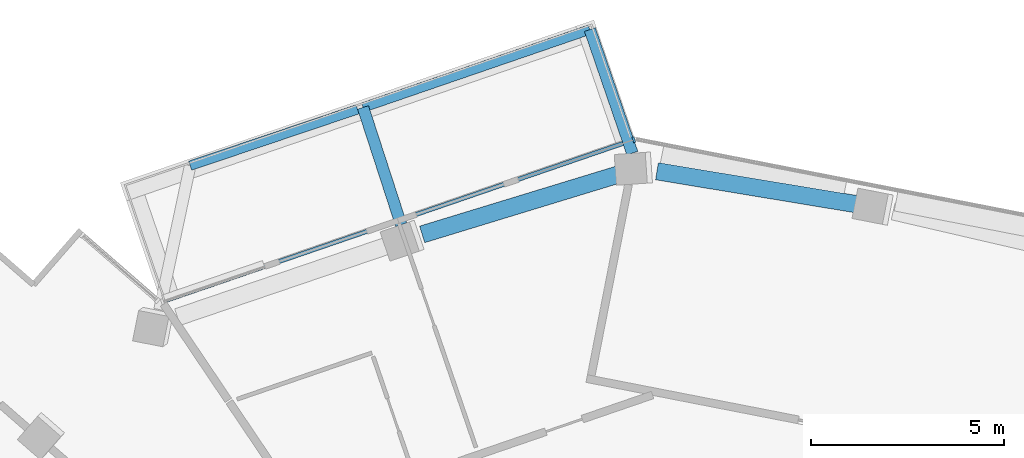
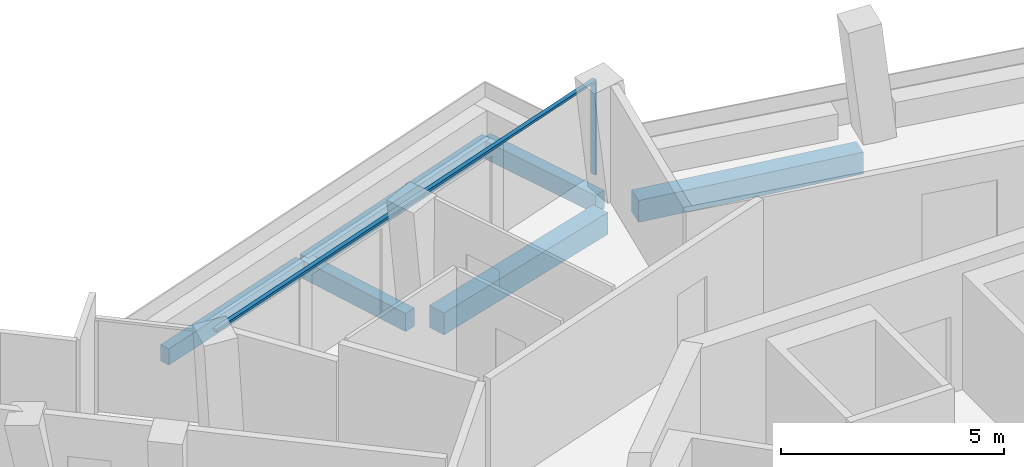
# One storey, part 7 of 22: 6 beams, 2 members, 1 element without a shape of its own.
"""IFC4 building model written with IfcOpenShell, lengths in metres."""

import ifcopenshell
import ifcopenshell.guid

model = None  # the IFC model being written
_history = None  # IfcOwnerHistory: only IFC2X3 demands one
_inside = {}  # id of a spatial element -> (the spatial element, [elements in it])
_under = {}  # id of a project, library or spatial element -> (it, [spatial elements below it])
_declared = {}  # id of a project -> (the project, [libraries it declares])
_typed = {}  # id of a type object -> (the type object, [elements of that type])
_made_of = {}  # id of a material, layer set ... -> (it, [elements and type objects made of it])


def new_model(schema):
    """Start an empty IFC model of exactly this schema.

    Asked for "IFC4X3", IfcOpenShell would pick the latest addendum, in which some entities
    have other attributes; the version numbers below select the first issue.
    IFC2X3 requires an IfcOwnerHistory on every rooted entity: one is made here for all.
    """
    global model, _history
    if schema == "IFC4X3":
        model = ifcopenshell.file(schema_version=(4, 3, 0, 0))
    else:
        model = ifcopenshell.file(schema=schema)
    _inside.clear()
    _under.clear()
    _declared.clear()
    _typed.clear()
    _made_of.clear()
    _history = None
    if model.schema == "IFC2X3":
        org = make("IfcOrganization", Name="unknown")
        user = make(
            "IfcPersonAndOrganization",
            ThePerson=make("IfcPerson", FamilyName="unknown"),
            TheOrganization=org,
        )
        app = make(
            "IfcApplication",
            ApplicationDeveloper=org,
            Version="unknown",
            ApplicationFullName="unknown",
            ApplicationIdentifier="unknown",
        )
        _history = make(
            "IfcOwnerHistory",
            OwningUser=user,
            OwningApplication=app,
            ChangeAction="ADDED",
            CreationDate=0,
        )
    return model


def make(cls, **values):
    """One entity of the class cls with the attributes given. An attribute that is None is left unset."""
    return model.create_entity(
        cls, **{name: value for name, value in values.items() if value is not None}
    )


def rooted(cls, **values):
    """An entity with a GlobalId (a new one), such as an element, a storey or a relation."""
    return make(cls, GlobalId=ifcopenshell.guid.new(), OwnerHistory=_history, **values)


def si_unit(unit_type, name, prefix=None):
    """IfcSIUnit, for example si_unit("LENGTHUNIT", "METRE", prefix="MILLI")."""
    return make("IfcSIUnit", UnitType=unit_type, Prefix=prefix, Name=name)


def assignment(units):
    """IfcUnitAssignment: the units of a project."""
    return None if units is None else make("IfcUnitAssignment", Units=units)


def point(xyz):
    """IfcCartesianPoint."""
    return None if xyz is None else make("IfcCartesianPoint", Coordinates=xyz)


def direction(xyz):
    """IfcDirection."""
    return None if xyz is None else make("IfcDirection", DirectionRatios=xyz)


def frame(location, z_axis=None, x_axis=None):
    """IfcAxis2Placement3D, a coordinate frame: its origin and axes. An axis left out is left unset."""
    return make(
        "IfcAxis2Placement3D",
        Location=point(location),
        Axis=direction(z_axis),
        RefDirection=direction(x_axis),
    )


def frame_2d(location, x_axis=None):
    """IfcAxis2Placement2D, a coordinate frame in the plane: its origin and x axis."""
    return make(
        "IfcAxis2Placement2D", Location=point(location), RefDirection=direction(x_axis)
    )


def origin():
    """The frame at (0, 0, 0) with its axes left unset."""
    return frame((0.0, 0.0, 0.0))


def origin_2d():
    """The frame at (0, 0) in the plane with its x axis left unset."""
    return frame_2d((0.0, 0.0))


def place(relative_to, where):
    """IfcLocalPlacement: puts the frame where relative to a parent placement (None: the world)."""
    return make(
        "IfcLocalPlacement", PlacementRelTo=relative_to, RelativePlacement=where
    )


def context(
    kind, dimensions, precision=None, world=None, true_north=None, identifier=None
):
    """IfcGeometricRepresentationContext, for example the 3D "Model" context."""
    return make(
        "IfcGeometricRepresentationContext",
        ContextIdentifier=identifier,
        ContextType=kind,
        CoordinateSpaceDimension=dimensions,
        Precision=precision,
        WorldCoordinateSystem=world,
        TrueNorth=true_north,
    )


def subcontext(parent, identifier, kind, view, scale=None):
    """IfcGeometricRepresentationSubContext, for example "Body" below "Model"."""
    return make(
        "IfcGeometricRepresentationSubContext",
        ContextIdentifier=identifier,
        ContextType=kind,
        ParentContext=parent,
        TargetScale=scale,
        TargetView=view,
    )


def project(units=None, contexts=None):
    """IfcProject with its units and contexts."""
    return rooted(
        "IfcProject",
        Name="project",
        RepresentationContexts=contexts,
        UnitsInContext=assignment(units),
    )


def spatial(cls, under=None, at=None, **own):
    """A site, building, storey or space (cls), placed at a placement, below another one or the project."""
    s = rooted(cls, ObjectPlacement=at, **own)
    if under is not None:
        _under.setdefault(under.id(), (under, []))[1].append(s)
    return s


def profile(cls, at=None, kind="AREA", **sizes):
    """A parametric profile (cls). Its sizes go by their IFC names, for example OverallWidth=200.0."""
    return make(cls, ProfileType=kind, Position=at, **sizes)


def rectangle(**sizes):
    """IfcRectangleProfileDef."""
    return profile("IfcRectangleProfileDef", **sizes)


def extrude(swept, where, along, depth):
    """IfcExtrudedAreaSolid: the profile swept, set in the frame where, extruded along a direction by depth."""
    return make(
        "IfcExtrudedAreaSolid",
        SweptArea=swept,
        Position=where,
        ExtrudedDirection=direction(along),
        Depth=depth,
    )


def shape(context_of_items, identifier, shape_type, items):
    """IfcShapeRepresentation: the items that make up one representation, for example the "Body"."""
    return make(
        "IfcShapeRepresentation",
        ContextOfItems=context_of_items,
        RepresentationIdentifier=identifier,
        RepresentationType=shape_type,
        Items=items,
    )


def material(Name=None, Category=None):
    """IfcMaterial."""
    return make("IfcMaterial", Name=Name, Category=Category)


def layer(
    of_material, thickness, ventilated=None, Name=None, Category=None, Priority=None
):
    """IfcMaterialLayer: one layer of a wall or slab, of a material (None: an air gap)."""
    return make(
        "IfcMaterialLayer",
        Material=of_material,
        LayerThickness=thickness,
        IsVentilated=ventilated,
        Name=Name,
        Category=Category,
        Priority=Priority,
    )


def layer_set(layers, Name=None):
    """IfcMaterialLayerSet."""
    return make("IfcMaterialLayerSet", MaterialLayers=layers, LayerSetName=Name)


def material_profile(
    of_material, cross_section, Name=None, Category=None, Priority=None
):
    """IfcMaterialProfile: a cross section and its material."""
    return make(
        "IfcMaterialProfile",
        Name=Name,
        Material=of_material,
        Profile=cross_section,
        Priority=Priority,
        Category=Category,
    )


def profile_set(profiles, Name=None, composite=None):
    """IfcMaterialProfileSet."""
    return make(
        "IfcMaterialProfileSet",
        Name=Name,
        MaterialProfiles=profiles,
        CompositeProfile=composite,
    )


def made_of(thing, what):
    """Note that an element or type object is made of a material, layer set ...; save() writes the relation."""
    if what is not None:
        _made_of.setdefault(what.id(), (what, []))[1].append(thing)
    return thing


def type_object(cls, material=None, **own):
    """A type object (cls), such as IfcWallType, which elements share."""
    return made_of(rooted(cls, **own), material)


def element(
    cls,
    number,
    at=None,
    inside=None,
    cuts=None,
    type_object=None,
    material=None,
    context=None,
    identifier="Body",
    shape_type=None,
    held_by="IfcProductDefinitionShape",
    body=None,
    shapes=None,
    **own,
):
    """One element of the class cls, such as IfcWall. Its Tag is "e" and its number.

    at: its placement. inside: the storey or other place that contains it. cuts: it is an
    opening in that element (IfcRelVoidsElement). A single representation is given by context,
    identifier, shape_type and body (its items); several are given by shapes. held_by: the class
    of the entity that holds the representations. save() writes the other relations.
    """
    e = rooted(cls, Tag="e%d" % number, ObjectPlacement=at, **own)
    if body is not None:
        shapes = [shape(context, identifier, shape_type, body)]
    if shapes is not None:
        e.Representation = make(held_by, Representations=shapes)
    if inside is not None:
        _inside.setdefault(inside.id(), (inside, []))[1].append(e)
    if cuts is not None:
        rooted(
            "IfcRelVoidsElement", RelatingBuildingElement=cuts, RelatedOpeningElement=e
        )
    if type_object is not None:
        _typed.setdefault(type_object.id(), (type_object, []))[1].append(e)
    return made_of(e, material)


def aggregate(whole, parts):
    """IfcRelAggregates: a whole, such as a stair, and the parts it consists of."""
    return rooted("IfcRelAggregates", RelatingObject=whole, RelatedObjects=parts)


def save(model, path):
    """Write the relations noted so far, then the file.

    IfcRelAggregates (storeys below a building ...), IfcRelContainedInSpatialStructure (elements
    in a storey), IfcRelDefinesByType, IfcRelAssociatesMaterial and IfcRelDeclares: one each for
    every whole, place, type object, material and project.
    """
    for whole, parts in _under.values():
        aggregate(whole, parts)
    for where, things in _inside.values():
        rooted(
            "IfcRelContainedInSpatialStructure",
            RelatedElements=things,
            RelatingStructure=where,
        )
    for kind, things in _typed.values():
        rooted("IfcRelDefinesByType", RelatedObjects=things, RelatingType=kind)
    for what, things in _made_of.values():
        rooted("IfcRelAssociatesMaterial", RelatedObjects=things, RelatingMaterial=what)
    for by, libraries in _declared.values():
        rooted("IfcRelDeclares", RelatingContext=by, RelatedDefinitions=libraries)
    model.write(path)


model = new_model("IFC4")

# Units and contexts
model_context = context("Model", 3, precision=1e-05, world=origin(), true_north=direction((0.0, 1.0)))
body_context = subcontext(model_context, "Body", "Model", "MODEL_VIEW")
ifc_project = project(units=[si_unit("LENGTHUNIT", "METRE"), si_unit("AREAUNIT", "SQUARE_METRE"), si_unit("VOLUMEUNIT", "CUBIC_METRE"), si_unit("PLANEANGLEUNIT", "RADIAN"), si_unit("MASSUNIT", "GRAM", prefix="KILO")], contexts=[model_context])

# Site, building, storey
site_placement = place(None, origin())
site = spatial("IfcSite", under=ifc_project, at=site_placement, CompositionType="ELEMENT")
building_placement = place(site_placement, origin())
building = spatial("IfcBuilding", under=site, at=building_placement, Name="Verdalira Terraces Hotel", CompositionType="ELEMENT")
storey_placement = place(building_placement, frame((0.0, 0.0, 234.0)))
storey = spatial("IfcBuildingStorey", under=building, at=storey_placement, Name="L57", CompositionType="ELEMENT", Elevation=234.0)

# Beams
ifc_material_1 = material(Name="Concrete C40", Category="concrete")
ifc_material_profile_1 = material_profile(ifc_material_1, rectangle(XDim=0.300049, YDim=0.5, at=origin_2d()), Name="RC 300X500")
ifc_profile_set_1 = profile_set([ifc_material_profile_1], Name="Concrete C40")
beam_type_1 = type_object("IfcBeamType", Name="Balcony cantilever beam RC 300X500 C40", PredefinedType="BEAM", material=ifc_profile_set_1)
beam_1_placement = place(storey_placement, frame((-1.776367, 24.623535, -0.560059), z_axis=(-0.324890765, 0.945751548, 0.0), x_axis=(-0.945751548, -0.324890765, 0.0)))
element("IfcBeam", 1, at=beam_1_placement, inside=storey, type_object=beam_type_1, Name="Balcony cantilever beam R41-1", PredefinedType="BEAM", context=body_context, shape_type="SweptSolid", body=[
    extrude(rectangle(XDim=0.300049, YDim=0.5, at=origin_2d()), origin(), (0.0, 0.0, 1.0), 3.393555),
])
beam_2_placement = place(storey_placement, frame((-7.7771, 22.766357, -0.560059), z_axis=(-0.308987763, 0.951066014, 0.0), x_axis=(-0.951066014, -0.308987763, 0.0)))
element("IfcBeam", 2, at=beam_2_placement, inside=storey, type_object=beam_type_1, Name="Balcony cantilever beam R41-2", PredefinedType="BEAM", context=body_context, shape_type="SweptSolid", body=[
    extrude(rectangle(XDim=0.300049, YDim=0.5, at=origin_2d()), origin(), (0.0, 0.0, 1.0), 3.200928),
])
ifc_material_2 = material(Name="Concrete C40", Category="concrete")
ifc_material_profile_2 = material_profile(ifc_material_2, rectangle(XDim=0.25, YDim=0.449951, at=origin_2d()), Name="RC 250X450")
ifc_profile_set_2 = profile_set([ifc_material_profile_2], Name="Concrete C40")
beam_type_2 = type_object("IfcBeamType", Name="Balcony edge beam RC 250X450 C40", PredefinedType="BEAM", material=ifc_profile_set_2)
beam_3_placement = place(storey_placement, frame((-2.878906, 27.833008, -0.534912), z_axis=(-0.945749128, -0.324897809, 0.0), x_axis=(0.324897809, -0.945749128, 0.0)))
element("IfcBeam", 3, at=beam_3_placement, inside=storey, type_object=beam_type_2, Name="Balcony edge beam R41-1", PredefinedType="BEAM", context=body_context, shape_type="SweptSolid", body=[
    extrude(rectangle(XDim=0.25, YDim=0.449951, at=origin_2d()), origin(), (0.0, 0.0, 1.0), 6.224854),
])
beam_4_placement = place(storey_placement, frame((-8.908447, 25.762695, -0.534912), z_axis=(-0.947666947, -0.319260642, 0.0), x_axis=(0.319260642, -0.947666947, 0.0)))
element("IfcBeam", 4, at=beam_4_placement, inside=storey, type_object=beam_type_2, Name="Balcony edge beam R41-2", PredefinedType="BEAM", context=body_context, shape_type="SweptSolid", body=[
    extrude(rectangle(XDim=0.25, YDim=0.449951, at=origin_2d()), origin(), (0.0, 0.0, 1.0), 4.585938),
])

# Curtain wall, members
ifc_material_3 = material(Name="Clear glass", Category="glass")
ifc_layer = layer(ifc_material_3, 0.14990234375)
ifc_layer_set = layer_set([ifc_layer], Name="CW1 curtain wall")
curtain_wall_type = type_object("IfcCurtainWallType", Name="CW1 curtain wall", PredefinedType="NOTDEFINED", material=ifc_layer_set)
curtain_wall_placement = place(storey_placement, origin())
curtain_wall = element("IfcCurtainWall", 5, at=curtain_wall_placement, inside=storey, type_object=curtain_wall_type, Name="CW1 curtain wall L57 edge 41", PredefinedType="NOTDEFINED")
ifc_material_4 = material(Name="Terracotta frame", Category="masonry")
ifc_material_profile_3 = material_profile(ifc_material_4, rectangle(XDim=0.060059, YDim=0.149902, at=origin_2d()), Name="MU 60x150")
ifc_profile_set_3 = profile_set([ifc_material_profile_3], Name="Terracotta frame")
member_type_1 = type_object("IfcMemberType", Name="CW1 mullion 60x150", PredefinedType="MULLION", material=ifc_profile_set_3)
member_1_placement = place(storey_placement, frame((-1.738281, 24.973389, 0.0), z_axis=(0.0, 0.0, 1.0), x_axis=(-0.945745635, -0.324907979, 0.0)))
member_1 = element("IfcMember", 6, at=member_1_placement, type_object=member_type_1, Name="CW1 mullion", PredefinedType="MULLION", context=body_context, shape_type="SweptSolid", body=[
    extrude(rectangle(XDim=0.060059, YDim=0.149902, at=origin_2d()), origin(), (0.0, 0.0, 1.0), 2.524902),
])
ifc_material_5 = material(Name="Terracotta frame", Category="masonry")
ifc_material_profile_4 = material_profile(ifc_material_5, rectangle(XDim=0.110107, YDim=0.064941, at=origin_2d()), Name="TR 65x110")
ifc_profile_set_4 = profile_set([ifc_material_profile_4], Name="Terracotta frame")
member_type_2 = type_object("IfcMemberType", Name="CW1 transom 65x110", PredefinedType="USERDEFINED", material=ifc_profile_set_4)
member_2_placement = place(storey_placement, frame((-1.709961, 24.983154, 2.557617), z_axis=(-0.945743778, -0.324913384, 0.0), x_axis=(0.324913384, -0.945743778, 0.0)))
member_2 = element("IfcMember", 7, at=member_2_placement, type_object=member_type_2, Name="CW1 transom", ObjectType="TRANSOM", PredefinedType="USERDEFINED", context=body_context, shape_type="SweptSolid", body=[
    extrude(rectangle(XDim=0.110107, YDim=0.064941, at=origin_2d()), origin(), (0.0, 0.0, 1.0), 13.0),
])
aggregate(curtain_wall, [member_1, member_2])

# Beams
ifc_material_6 = material(Name="Concrete C40", Category="concrete")
ifc_material_profile_5 = material_profile(ifc_material_6, rectangle(XDim=0.449951, YDim=0.600098, at=origin_2d()), Name="RC 450X600")
ifc_profile_set_5 = profile_set([ifc_material_profile_5], Name="Concrete C40")
beam_type_3 = type_object("IfcBeamType", Name="Spandrel beam RC 450X600 C40", PredefinedType="SPANDREL", material=ifc_profile_set_5)
beam_5_placement = place(storey_placement, frame((4.185791, 23.274902, -0.610107), z_axis=(-0.986614434, 0.163070407, 0.0), x_axis=(-0.163070407, -0.986614434, 0.0)))
element("IfcBeam", 8, at=beam_5_placement, inside=storey, type_object=beam_type_3, Name="Spandrel beam B21", PredefinedType="SPANDREL", context=body_context, shape_type="SweptSolid", body=[
    extrude(rectangle(XDim=0.449951, YDim=0.600098, at=origin_2d()), origin(), (0.0, 0.0, 1.0), 5.394287),
])
beam_6_placement = place(storey_placement, frame((-2.070068, 24.09082, -0.610107), z_axis=(-0.956444582, -0.291913962, 0.0), x_axis=(0.291913962, -0.956444582, 0.0)))
element("IfcBeam", 9, at=beam_6_placement, inside=storey, type_object=beam_type_3, Name="Spandrel beam B22", PredefinedType="SPANDREL", context=body_context, shape_type="SweptSolid", body=[
    extrude(rectangle(XDim=0.449951, YDim=0.600098, at=origin_2d()), origin(), (0.0, 0.0, 1.0), 5.396973),
])

save(model, "model.ifc")
